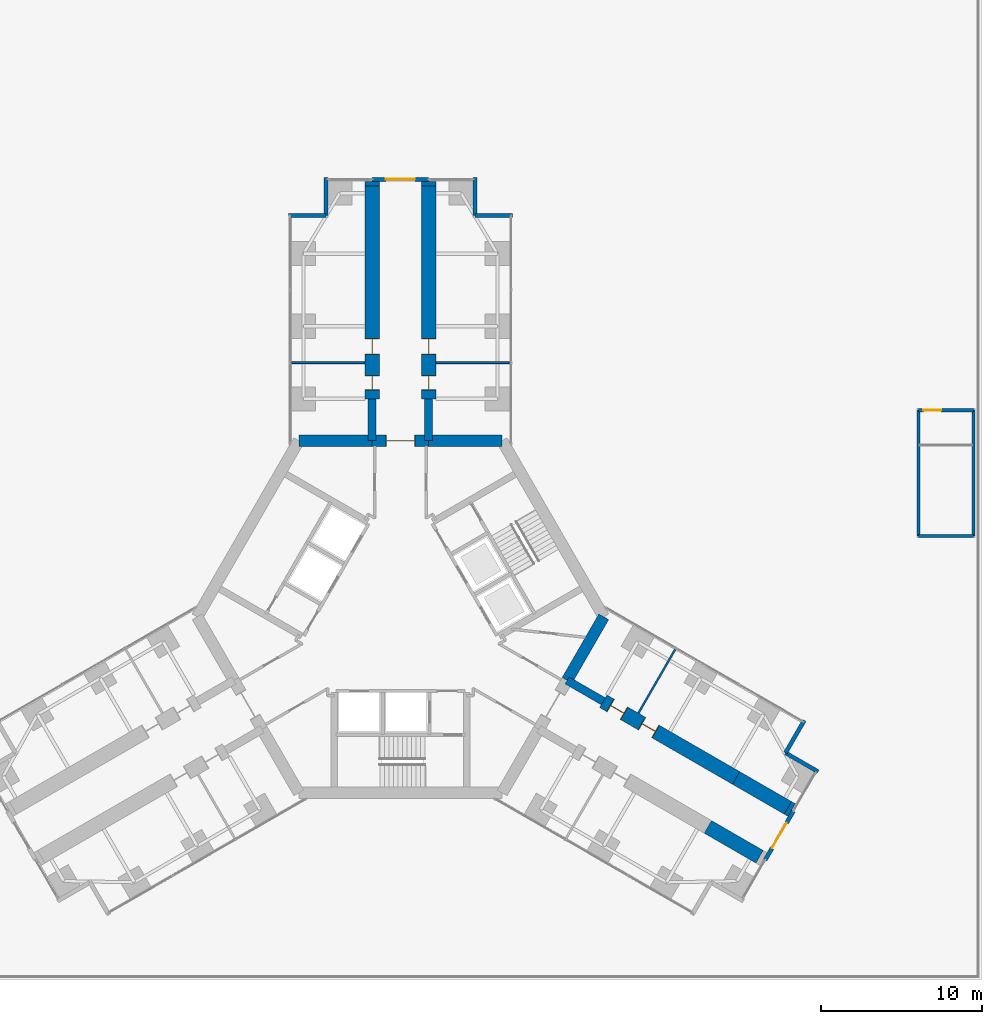
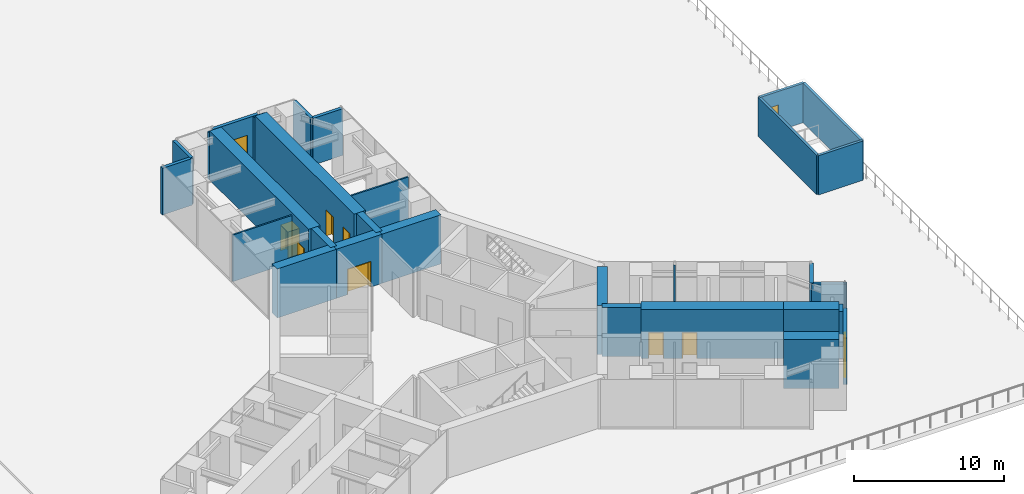
# One storey, part 18 of 23: 30 walls, 10 doors, 10 openings.
"""IFC4 building model written with IfcOpenShell, lengths in metres."""

from ifc_helpers import new_model, si_unit, direction, frame, frame_2d, origin, place, context, subcontext, project, spatial, rectangle, extrude, material, layer, layer_set, type_object, element, fill, save


model = new_model("IFC4")

# Units and contexts
model_context = context("Model", 3, precision=1e-05, world=origin(), true_north=direction((0.0, 1.0)))
body_context = subcontext(model_context, "Body", "Model", "MODEL_VIEW")
ifc_project = project(units=[si_unit("LENGTHUNIT", "METRE"), si_unit("AREAUNIT", "SQUARE_METRE"), si_unit("VOLUMEUNIT", "CUBIC_METRE"), si_unit("PLANEANGLEUNIT", "RADIAN"), si_unit("MASSUNIT", "GRAM", prefix="KILO")], contexts=[model_context])

# Site, building, storey
site_placement = place(None, origin())
site = spatial("IfcSite", under=ifc_project, at=site_placement, CompositionType="ELEMENT")
building_placement = place(site_placement, origin())
building = spatial("IfcBuilding", under=site, at=building_placement, Name="Upepo Twin Towers", CompositionType="ELEMENT")
storey_placement = place(building_placement, frame((0.0, 0.0, 20.5)))
storey = spatial("IfcBuildingStorey", under=building, at=storey_placement, Name="L04", CompositionType="ELEMENT", Elevation=20.5)

# Walls
ifc_material_1 = material(Name="Dense concrete blockwork", Category="masonry")
ifc_layer_1 = layer(ifc_material_1, 0.89990234375)
ifc_layer_set_1 = layer_set([ifc_layer_1], Name="Buttress closer 900, blockwork with fire-stopping to the curtain wall")
wall_type_1 = type_object("IfcWallType", Name="Buttress closer 900, blockwork with fire-stopping to the curtain wall", PredefinedType="PARTITIONING", material=ifc_layer_set_1)
for number, where, z_axis, x_axis, name in (
    (1, (56.75, 8.699951171875, 0.0), (0.0, 0.0, 1.0), (0.0, 1.0, 0.0), "T2 L04 wing A buttress closer L"),
    (2, (60.25, 8.699951171875, 0.0), (0.0, 0.0, 1.0), (0.0, 1.0, 0.0), "T2 L04 wing A buttress closer R"),
    (3, (82.497802734375, -29.83447265625, 0.0), (0.0, 0.0, 1.0), (0.86621513555, -0.499671230855, 0.0), "T2 L04 wing C buttress closer L"),
):
    element("IfcWall", number, at=place(storey_placement, frame(where, z_axis=z_axis, x_axis=x_axis)), inside=storey, type_object=wall_type_1, Name=name, PredefinedType="PARTITIONING", context=body_context, shape_type="SweptSolid", body=[
        extrude(rectangle(XDim=0.275146484375, YDim=0.89990234375, at=frame_2d((0.1376953125, 0.0))), origin(), (0.0, 0.0, 1.0), 3.800048828125),
    ])
ifc_material_2 = material(Name="Concrete C60/75", Category="concrete")
ifc_layer_2 = layer(ifc_material_2, 0.5)
ifc_layer_set_2 = layer_set([ifc_layer_2], Name="Concrete C60/75")
wall_type_2 = type_object("IfcWallType", Name="Buttress wall 500 RC", PredefinedType="SHEAR", material=ifc_layer_set_2)
for number, where, z_axis, x_axis, name in (
    (4, (56.75, -7.091552734375, 0.0), (0.0, 0.0, 1.0), (0.0, 1.0, 0.0), "T2 wing A buttress wall L"),
    (5, (60.25, -7.091552734375, 0.0), (0.0, 0.0, 1.0), (0.0, 1.0, 0.0), "T2 wing A buttress wall R"),
):
    element("IfcWall", number, at=place(storey_placement, frame(where, z_axis=z_axis, x_axis=x_axis)), inside=storey, type_object=wall_type_2, Name=name, PredefinedType="SHEAR", context=body_context, shape_type="SweptSolid", body=[
        extrude(rectangle(XDim=2.591552734375, YDim=0.5, at=frame_2d((1.2958984375, 0.0))), origin(), (0.0, 0.0, 1.0), 4.0),
    ])
wall_1_placement = place(storey_placement, frame((68.82177734375, -21.938720703125, 0.0), z_axis=(0.0, 0.0, 1.0), x_axis=(0.866072649678, -0.499918158782, 0.0)))
element("IfcWall", 6, at=wall_1_placement, inside=storey, type_object=wall_type_2, Name="T2 wing C buttress wall L", PredefinedType="SHEAR", context=body_context, shape_type="SweptSolid", body=[
    extrude(rectangle(XDim=2.591796875, YDim=0.5, at=frame_2d((1.2958984375, 0.0))), origin(), (0.0, 0.0, 1.0), 4.0),
])

# Wall, openings, doors
ifc_material_3 = material(Name="Concrete C60/75", Category="concrete")
ifc_layer_3 = layer(ifc_material_3, 0.89990234375)
ifc_layer_set_3 = layer_set([ifc_layer_3], Name="Concrete C60/75")
wall_type_3 = type_object("IfcWallType", Name="Buttress wall 900 RC", PredefinedType="SHEAR", material=ifc_layer_set_3)
wall_2_placement = place(storey_placement, frame((56.75, -4.5, 0.0), z_axis=(0.0, 0.0, 1.0), x_axis=(0.0, 1.0, 0.0)))
wall_2 = element("IfcWall", 7, at=wall_2_placement, inside=storey, type_object=wall_type_3, Name="T2 wing A buttress wall L part 2", PredefinedType="SHEAR", context=body_context, shape_type="SweptSolid", body=[
    extrude(rectangle(XDim=13.199951171875, YDim=0.89990234375, at=frame_2d((6.60009765625, 0.0))), origin(), (0.0, 0.0, 1.0), 4.0),
])
opening_1_placement = place(wall_2_placement, frame((0.550048828125, 0.0, 0.0)))
opening_1 = element("IfcOpeningElement", 8, at=opening_1_placement, cuts=wall_2, Name="Opening D11", PredefinedType="OPENING", context=body_context, shape_type="SweptSolid", body=[
    extrude(rectangle(XDim=0.89990234375, YDim=2.10009765625, at=frame_2d((0.449951171875, 1.050048828125))), frame((0.0, 0.4599609375, 0.0), z_axis=(0.0, -1.0, 0.0), x_axis=(1.0, 0.0, 0.0)), (0.0, 0.0, 1.0), 0.919921875),
])
opening_2_placement = place(wall_2_placement, frame((2.75, 0.0, 0.0)))
opening_2 = element("IfcOpeningElement", 9, at=opening_2_placement, cuts=wall_2, Name="Opening D15", PredefinedType="OPENING", context=body_context, shape_type="SweptSolid", body=[
    extrude(rectangle(XDim=1.0, YDim=2.10009765625, at=frame_2d((0.5, 1.050048828125))), frame((0.0, 0.4599609375, 0.0), z_axis=(0.0, -1.0, 0.0), x_axis=(1.0, 0.0, 0.0)), (0.0, 0.0, 1.0), 0.919921875),
])
ifc_material_4 = material(Name="Timber doorset", Category="wood")
door_type_1 = type_object("IfcDoorType", Name="Glazed door 1000 FD30", OperationType="SINGLE_SWING_LEFT", PredefinedType="DOOR", material=ifc_material_4)
door_1_placement = place(opening_2_placement, origin())
door_1 = element("IfcDoor", 10, at=door_1_placement, inside=storey, type_object=door_type_1, Name="T2 L04 student sky lounge door", OperationType="SINGLE_SWING_LEFT", OverallHeight=2.10009765625, OverallWidth=1.0, PredefinedType="DOOR", context=body_context, shape_type="SweptSolid", body=[
    extrude(rectangle(XDim=0.92, YDim=2.06009765625, at=frame_2d((0.5, 1.030029296875))), frame((0.0, 0.02490234375, 0.0), z_axis=(0.0, -1.0, 0.0), x_axis=(1.0, 0.0, 0.0)), (0.0, 0.0, 1.0), 0.050048828125),
    extrude(rectangle(XDim=0.04, YDim=2.10009765625, at=frame_2d((0.02001953125, 1.050048828125))), frame((0.0, 0.44970703125, 0.0), z_axis=(0.0, -1.0, 0.0), x_axis=(1.0, 0.0, 0.0)), (0.0, 0.0, 1.0), 0.8994140625),
    extrude(rectangle(XDim=0.04, YDim=2.10009765625, at=frame_2d((0.97998046875, 1.050048828125))), frame((0.0, 0.44970703125, 0.0), z_axis=(0.0, -1.0, 0.0), x_axis=(1.0, 0.0, 0.0)), (0.0, 0.0, 1.0), 0.8994140625),
    extrude(rectangle(XDim=0.92, YDim=0.04, at=frame_2d((0.5, 2.080078125))), frame((0.0, 0.44970703125, 0.0), z_axis=(0.0, -1.0, 0.0), x_axis=(1.0, 0.0, 0.0)), (0.0, 0.0, 1.0), 0.8994140625),
])
fill(opening_2, door_1)
ifc_material_5 = material(Name="Timber doorset", Category="wood")
door_type_2 = type_object("IfcDoorType", Name="Toilet door 900", OperationType="SINGLE_SWING_LEFT", PredefinedType="DOOR", material=ifc_material_5)
door_2_placement = place(opening_1_placement, origin())
door_2 = element("IfcDoor", 11, at=door_2_placement, inside=storey, type_object=door_type_2, Name="T2 L04 toilets door", OperationType="SINGLE_SWING_LEFT", OverallHeight=2.10009765625, OverallWidth=0.89990234375, PredefinedType="DOOR", context=body_context, shape_type="SweptSolid", body=[
    extrude(rectangle(XDim=0.81990234375, YDim=2.06009765625, at=frame_2d((0.449951171875, 1.030029296875))), frame((0.0, 0.02490234375, 0.0), z_axis=(0.0, -1.0, 0.0), x_axis=(1.0, 0.0, 0.0)), (0.0, 0.0, 1.0), 0.050048828125),
    extrude(rectangle(XDim=0.04, YDim=2.10009765625, at=frame_2d((0.02001953125, 1.050048828125))), frame((0.0, 0.44970703125, 0.0), z_axis=(0.0, -1.0, 0.0), x_axis=(1.0, 0.0, 0.0)), (0.0, 0.0, 1.0), 0.8994140625),
    extrude(rectangle(XDim=0.04, YDim=2.10009765625, at=frame_2d((0.8798828125, 1.050048828125))), frame((0.0, 0.44970703125, 0.0), z_axis=(0.0, -1.0, 0.0), x_axis=(1.0, 0.0, 0.0)), (0.0, 0.0, 1.0), 0.8994140625),
    extrude(rectangle(XDim=0.81990234375, YDim=0.04, at=frame_2d((0.449951171875, 2.080078125))), frame((0.0, 0.44970703125, 0.0), z_axis=(0.0, -1.0, 0.0), x_axis=(1.0, 0.0, 0.0)), (0.0, 0.0, 1.0), 0.8994140625),
])
fill(opening_1, door_2)

wall_3_placement = place(storey_placement, frame((60.25, -4.5, 0.0), z_axis=(0.0, 0.0, 1.0), x_axis=(0.0, 1.0, 0.0)))
wall_3 = element("IfcWall", 12, at=wall_3_placement, inside=storey, type_object=wall_type_3, Name="T2 wing A buttress wall R part 2", PredefinedType="SHEAR", context=body_context, shape_type="SweptSolid", body=[
    extrude(rectangle(XDim=13.199951171875, YDim=0.89990234375, at=frame_2d((6.60009765625, 0.0))), origin(), (0.0, 0.0, 1.0), 4.0),
])
opening_3_placement = place(wall_3_placement, frame((0.550048828125, 0.0, 0.0)))
opening_3 = element("IfcOpeningElement", 13, at=opening_3_placement, cuts=wall_3, Name="Opening D11", PredefinedType="OPENING", context=body_context, shape_type="SweptSolid", body=[
    extrude(rectangle(XDim=0.89990234375, YDim=2.10009765625, at=frame_2d((0.449951171875, 1.050048828125))), frame((0.0, 0.4599609375, 0.0), z_axis=(0.0, -1.0, 0.0), x_axis=(1.0, 0.0, 0.0)), (0.0, 0.0, 1.0), 0.919921875),
])
opening_4_placement = place(wall_3_placement, frame((2.75, 0.0, 0.0)))
opening_4 = element("IfcOpeningElement", 14, at=opening_4_placement, cuts=wall_3, Name="Opening D15", PredefinedType="OPENING", context=body_context, shape_type="SweptSolid", body=[
    extrude(rectangle(XDim=1.0, YDim=2.10009765625, at=frame_2d((0.5, 1.050048828125))), frame((0.0, 0.4599609375, 0.0), z_axis=(0.0, -1.0, 0.0), x_axis=(1.0, 0.0, 0.0)), (0.0, 0.0, 1.0), 0.919921875),
])
door_3_placement = place(opening_4_placement, origin())
door_3 = element("IfcDoor", 15, at=door_3_placement, inside=storey, type_object=door_type_1, Name="T2 L04 student sky lounge door", OperationType="SINGLE_SWING_LEFT", OverallHeight=2.10009765625, OverallWidth=1.0, PredefinedType="DOOR", context=body_context, shape_type="SweptSolid", body=[
    extrude(rectangle(XDim=0.92, YDim=2.06009765625, at=frame_2d((0.5, 1.030029296875))), frame((0.0, 0.02490234375, 0.0), z_axis=(0.0, -1.0, 0.0), x_axis=(1.0, 0.0, 0.0)), (0.0, 0.0, 1.0), 0.050048828125),
    extrude(rectangle(XDim=0.04, YDim=2.10009765625, at=frame_2d((0.02001953125, 1.050048828125))), frame((0.0, 0.44970703125, 0.0), z_axis=(0.0, -1.0, 0.0), x_axis=(1.0, 0.0, 0.0)), (0.0, 0.0, 1.0), 0.8994140625),
    extrude(rectangle(XDim=0.04, YDim=2.10009765625, at=frame_2d((0.97998046875, 1.050048828125))), frame((0.0, 0.44970703125, 0.0), z_axis=(0.0, -1.0, 0.0), x_axis=(1.0, 0.0, 0.0)), (0.0, 0.0, 1.0), 0.8994140625),
    extrude(rectangle(XDim=0.92, YDim=0.04, at=frame_2d((0.5, 2.080078125))), frame((0.0, 0.44970703125, 0.0), z_axis=(0.0, -1.0, 0.0), x_axis=(1.0, 0.0, 0.0)), (0.0, 0.0, 1.0), 0.8994140625),
])
fill(opening_4, door_3)
door_4_placement = place(opening_3_placement, origin())
door_4 = element("IfcDoor", 16, at=door_4_placement, inside=storey, type_object=door_type_2, Name="T2 L04 accessible wc door", OperationType="SINGLE_SWING_LEFT", OverallHeight=2.10009765625, OverallWidth=0.89990234375, PredefinedType="DOOR", context=body_context, shape_type="SweptSolid", body=[
    extrude(rectangle(XDim=0.81990234375, YDim=2.06009765625, at=frame_2d((0.449951171875, 1.030029296875))), frame((0.0, 0.02490234375, 0.0), z_axis=(0.0, -1.0, 0.0), x_axis=(1.0, 0.0, 0.0)), (0.0, 0.0, 1.0), 0.050048828125),
    extrude(rectangle(XDim=0.04, YDim=2.10009765625, at=frame_2d((0.02001953125, 1.050048828125))), frame((0.0, 0.44970703125, 0.0), z_axis=(0.0, -1.0, 0.0), x_axis=(1.0, 0.0, 0.0)), (0.0, 0.0, 1.0), 0.8994140625),
    extrude(rectangle(XDim=0.04, YDim=2.10009765625, at=frame_2d((0.8798828125, 1.050048828125))), frame((0.0, 0.44970703125, 0.0), z_axis=(0.0, -1.0, 0.0), x_axis=(1.0, 0.0, 0.0)), (0.0, 0.0, 1.0), 0.8994140625),
    extrude(rectangle(XDim=0.81990234375, YDim=0.04, at=frame_2d((0.449951171875, 2.080078125))), frame((0.0, 0.44970703125, 0.0), z_axis=(0.0, -1.0, 0.0), x_axis=(1.0, 0.0, 0.0)), (0.0, 0.0, 1.0), 0.8994140625),
])
fill(opening_3, door_4)

wall_4_placement = place(storey_placement, frame((71.06640625, -23.234375, 0.0), z_axis=(0.0, 0.0, 1.0), x_axis=(0.86602681393, -0.499997557548, 0.0)))
wall_4 = element("IfcWall", 17, at=wall_4_placement, inside=storey, type_object=wall_type_3, Name="T2 wing C buttress wall L part 2", PredefinedType="SHEAR", context=body_context, shape_type="SweptSolid", body=[
    extrude(rectangle(XDim=9.5, YDim=0.89990234375, at=frame_2d((4.75, 0.0))), origin(), (0.0, 0.0, 1.0), 4.0),
])
opening_5_placement = place(wall_4_placement, frame((0.5, 0.0, 0.0)))
opening_5 = element("IfcOpeningElement", 18, at=opening_5_placement, cuts=wall_4, Name="Opening D15", PredefinedType="OPENING", context=body_context, shape_type="SweptSolid", body=[
    extrude(rectangle(XDim=1.0, YDim=2.10009765625, at=frame_2d((0.5, 1.050048828125))), frame((0.0, 0.4599609375, 0.0), z_axis=(0.0, -1.0, 0.0), x_axis=(1.0, 0.0, 0.0)), (0.0, 0.0, 1.0), 0.919921875),
])
opening_6_placement = place(wall_4_placement, frame((2.75, 0.0, 0.0)))
opening_6 = element("IfcOpeningElement", 19, at=opening_6_placement, cuts=wall_4, Name="Opening D15", PredefinedType="OPENING", context=body_context, shape_type="SweptSolid", body=[
    extrude(rectangle(XDim=1.0, YDim=2.10009765625, at=frame_2d((0.5, 1.050048828125))), frame((0.0, 0.4599609375, 0.0), z_axis=(0.0, -1.0, 0.0), x_axis=(1.0, 0.0, 0.0)), (0.0, 0.0, 1.0), 0.919921875),
])
door_5_placement = place(opening_5_placement, origin())
door_5 = element("IfcDoor", 20, at=door_5_placement, inside=storey, type_object=door_type_1, Name="T2 L04 seminar room door", OperationType="SINGLE_SWING_LEFT", OverallHeight=2.10009765625, OverallWidth=1.0, PredefinedType="DOOR", context=body_context, shape_type="SweptSolid", body=[
    extrude(rectangle(XDim=0.92, YDim=2.06009765625, at=frame_2d((0.5, 1.030029296875))), frame((0.0, 0.02490234375, 0.0), z_axis=(0.0, -1.0, 0.0), x_axis=(1.0, 0.0, 0.0)), (0.0, 0.0, 1.0), 0.050048828125),
    extrude(rectangle(XDim=0.04, YDim=2.10009765625, at=frame_2d((0.02001953125, 1.050048828125))), frame((0.0, 0.44970703125, 0.0), z_axis=(0.0, -1.0, 0.0), x_axis=(1.0, 0.0, 0.0)), (0.0, 0.0, 1.0), 0.8994140625),
    extrude(rectangle(XDim=0.04, YDim=2.10009765625, at=frame_2d((0.97998046875, 1.050048828125))), frame((0.0, 0.44970703125, 0.0), z_axis=(0.0, -1.0, 0.0), x_axis=(1.0, 0.0, 0.0)), (0.0, 0.0, 1.0), 0.8994140625),
    extrude(rectangle(XDim=0.92, YDim=0.04, at=frame_2d((0.5, 2.080078125))), frame((0.0, 0.44970703125, 0.0), z_axis=(0.0, -1.0, 0.0), x_axis=(1.0, 0.0, 0.0)), (0.0, 0.0, 1.0), 0.8994140625),
])
fill(opening_5, door_5)
door_6_placement = place(opening_6_placement, origin())
door_6 = element("IfcDoor", 21, at=door_6_placement, inside=storey, type_object=door_type_1, Name="T2 L04 student sky lounge door", OperationType="SINGLE_SWING_LEFT", OverallHeight=2.10009765625, OverallWidth=1.0, PredefinedType="DOOR", context=body_context, shape_type="SweptSolid", body=[
    extrude(rectangle(XDim=0.92, YDim=2.06009765625, at=frame_2d((0.5, 1.030029296875))), frame((0.0, 0.02490234375, 0.0), z_axis=(0.0, -1.0, 0.0), x_axis=(1.0, 0.0, 0.0)), (0.0, 0.0, 1.0), 0.050048828125),
    extrude(rectangle(XDim=0.04, YDim=2.10009765625, at=frame_2d((0.02001953125, 1.050048828125))), frame((0.0, 0.44970703125, 0.0), z_axis=(0.0, -1.0, 0.0), x_axis=(1.0, 0.0, 0.0)), (0.0, 0.0, 1.0), 0.8994140625),
    extrude(rectangle(XDim=0.04, YDim=2.10009765625, at=frame_2d((0.97998046875, 1.050048828125))), frame((0.0, 0.44970703125, 0.0), z_axis=(0.0, -1.0, 0.0), x_axis=(1.0, 0.0, 0.0)), (0.0, 0.0, 1.0), 0.8994140625),
    extrude(rectangle(XDim=0.92, YDim=0.04, at=frame_2d((0.5, 2.080078125))), frame((0.0, 0.44970703125, 0.0), z_axis=(0.0, -1.0, 0.0), x_axis=(1.0, 0.0, 0.0)), (0.0, 0.0, 1.0), 0.8994140625),
])
fill(opening_6, door_6)

# Walls
wall_5_placement = place(storey_placement, frame((79.293701171875, -27.984375, 0.0), z_axis=(0.0, 0.0, 1.0), x_axis=(0.866000971088, -0.500042316284, 0.0)))
element("IfcWall", 22, at=wall_5_placement, inside=storey, type_object=wall_type_3, Name="T2 wing C buttress wall L part 3", PredefinedType="SHEAR", context=body_context, shape_type="SweptSolid", body=[
    extrude(rectangle(XDim=3.699951171875, YDim=0.89990234375, at=frame_2d((1.85009765625, 0.0))), origin(), (0.0, 0.0, 1.0), 4.0),
])
wall_6_placement = place(storey_placement, frame((77.543701171875, -31.015625, 0.0), z_axis=(0.0, 0.0, 1.0), x_axis=(0.866029545028, -0.499992827086, 0.0)))
element("IfcWall", 23, at=wall_6_placement, inside=storey, type_object=wall_type_3, Name="T2 wing C buttress wall R part 3", PredefinedType="SHEAR", context=body_context, shape_type="SweptSolid", body=[
    extrude(rectangle(XDim=3.69970703125, YDim=0.89990234375, at=frame_2d((1.849853515625, 0.0))), origin(), (0.0, 0.0, 1.0), 4.0),
])
ifc_material_6 = material(Name="Concrete C60/75", Category="concrete")
ifc_layer_4 = layer(ifc_material_6, 0.699951171875)
ifc_layer_set_4 = layer_set([ifc_layer_4], Name="Concrete C60/75")
wall_type_4 = type_object("IfcWallType", Name="Core wall 700 RC", PredefinedType="SHEAR", material=ifc_layer_set_4)
wall_7_placement = place(storey_placement, frame((64.7978515625, -7.091552734375, 0.0), z_axis=(0.0, 0.0, 1.0), x_axis=(-1.0, 0.0, 0.0)))
element("IfcWall", 24, at=wall_7_placement, inside=storey, type_object=wall_type_4, Name="T2 core wall 000 R", PredefinedType="SHEAR", context=body_context, shape_type="SweptSolid", body=[
    extrude(rectangle(XDim=4.5478515625, YDim=0.699951171875, at=frame_2d((2.27392578125, 0.0))), origin(), (0.0, 0.0, 1.0), 4.0),
])

# Wall, opening, door
wall_8_placement = place(storey_placement, frame((60.25, -7.091552734375, 0.0), z_axis=(0.0, 0.0, 1.0), x_axis=(-1.0, 0.0, 0.0)))
wall_8 = element("IfcWall", 25, at=wall_8_placement, inside=storey, type_object=wall_type_4, Name="T2 core wall 000", PredefinedType="SHEAR", context=body_context, shape_type="SweptSolid", body=[
    extrude(rectangle(XDim=3.5, YDim=0.699951171875, at=frame_2d((1.75, 0.0))), origin(), (0.0, 0.0, 1.0), 4.0),
])
opening_7_placement = place(wall_8_placement, frame((0.85009765625, 0.0, 0.0)))
opening_7 = element("IfcOpeningElement", 26, at=opening_7_placement, cuts=wall_8, Name="Opening D2", PredefinedType="OPENING", context=body_context, shape_type="SweptSolid", body=[
    extrude(rectangle(XDim=1.800048828125, YDim=2.10009765625, at=frame_2d((0.89990234375, 1.050048828125))), frame((0.0, 0.35986328125, 0.0), z_axis=(0.0, -1.0, 0.0), x_axis=(1.0, 0.0, 0.0)), (0.0, 0.0, 1.0), 0.719970703125),
])
ifc_material_7 = material(Name="Timber doorset", Category="wood")
door_type_3 = type_object("IfcDoorType", Name="Corridor double door 1800 FD60", OperationType="DOUBLE_DOOR_DOUBLE_SWING", PredefinedType="DOOR", material=ifc_material_7)
door_7_placement = place(opening_7_placement, origin())
door_7 = element("IfcDoor", 27, at=door_7_placement, inside=storey, type_object=door_type_3, Name="T2 L04 wing A corridor door", OperationType="DOUBLE_DOOR_DOUBLE_SWING", OverallHeight=2.10009765625, OverallWidth=1.800048828125, PredefinedType="DOOR", context=body_context, shape_type="SweptSolid", body=[
    extrude(rectangle(XDim=1.720048828125, YDim=2.06009765625, at=frame_2d((0.89990234375, 1.030029296875))), frame((0.0, 0.02490234375, 0.0), z_axis=(0.0, -1.0, 0.0), x_axis=(1.0, 0.0, 0.0)), (0.0, 0.0, 1.0), 0.050048828125),
    extrude(rectangle(XDim=0.04, YDim=2.10009765625, at=frame_2d((0.02001953125, 1.050048828125))), frame((0.0, 0.349609375, 0.0), z_axis=(0.0, -1.0, 0.0), x_axis=(1.0, 0.0, 0.0)), (0.0, 0.0, 1.0), 0.699462890625),
    extrude(rectangle(XDim=0.04, YDim=2.10009765625, at=frame_2d((1.780029296875, 1.050048828125))), frame((0.0, 0.349609375, 0.0), z_axis=(0.0, -1.0, 0.0), x_axis=(1.0, 0.0, 0.0)), (0.0, 0.0, 1.0), 0.699462890625),
    extrude(rectangle(XDim=1.720048828125, YDim=0.04, at=frame_2d((0.89990234375, 2.080078125))), frame((0.0, 0.349609375, 0.0), z_axis=(0.0, -1.0, 0.0), x_axis=(1.0, 0.0, 0.0)), (0.0, 0.0, 1.0), 0.699462890625),
])
fill(opening_7, door_7)

# Walls
wall_9_placement = place(storey_placement, frame((56.75, -7.091552734375, 0.0), z_axis=(0.0, 0.0, 1.0), x_axis=(-1.0, 0.0, 0.0)))
element("IfcWall", 28, at=wall_9_placement, inside=storey, type_object=wall_type_4, Name="T2 core wall 000 L", PredefinedType="SHEAR", context=body_context, shape_type="SweptSolid", body=[
    extrude(rectangle(XDim=4.5478515625, YDim=0.699951171875, at=frame_2d((2.27392578125, 0.0))), origin(), (0.0, 0.0, 1.0), 4.0),
])
wall_10_placement = place(storey_placement, frame((68.82177734375, -21.938720703125, 0.0), z_axis=(0.0, 0.0, 1.0), x_axis=(0.500024481964, 0.866011268655, 0.0)))
element("IfcWall", 29, at=wall_10_placement, inside=storey, type_object=wall_type_4, Name="T2 core wall 240 L", PredefinedType="SHEAR", context=body_context, shape_type="SweptSolid", body=[
    extrude(rectangle(XDim=4.548095703125, YDim=0.699951171875, at=frame_2d((2.27392578125, 0.0))), origin(), (0.0, 0.0, 1.0), 4.0),
])
ifc_material_8 = material(Name="Laminated glass in an aluminium frame", Category="aluminium")
ifc_layer_5 = layer(ifc_material_8, 0.1201171875)
ifc_layer_set_5 = layer_set([ifc_layer_5], Name="Glazed partition 120, aluminium framed")
wall_type_5 = type_object("IfcWallType", Name="Glazed partition 120, aluminium framed", PredefinedType="PARTITIONING", material=ifc_layer_set_5)
for number, where, z_axis, x_axis, name in (
    (30, (56.300048828125, -2.25, 0.0), (0.0, 0.0, 1.0), (-1.0, 0.0, 0.0), "T2 partition AL at 15.75"),
    (31, (60.699951171875, -2.25, 0.0), (0.0, 0.0, 1.0), (1.0, 0.0, 0.0), "T2 partition AR at 15.75"),
    (32, (73.239990234375, -23.9697265625, 0.0), (0.0, 0.0, 1.0), (0.499982560684, 0.866035472144, 0.0), "T2 partition CL at 15.75"),
):
    element("IfcWall", number, at=place(storey_placement, frame(where, z_axis=z_axis, x_axis=x_axis)), inside=storey, type_object=wall_type_5, Name=name, PredefinedType="PARTITIONING", context=body_context, shape_type="SweptSolid", body=[
        extrude(rectangle(XDim=4.550048828125, YDim=0.1201171875, at=frame_2d((2.27490234375, 0.0))), origin(), (0.0, 0.0, 1.0), 3.800048828125),
    ])
ifc_material_9 = material(Name="Blockwork with anodised aluminium cladding", Category="masonry")
ifc_layer_6 = layer(ifc_material_9, 0.25)
ifc_layer_set_6 = layer_set([ifc_layer_6], Name="Notch cladding wall 250, pale metal")
wall_type_6 = type_object("IfcWallType", Name="Notch cladding wall 250, pale metal", PredefinedType="STANDARD", material=ifc_layer_set_6)
for number, where, z_axis, x_axis, name in (
    (33, (51.550048828125, 6.875, 0.0), (0.0, 0.0, 1.0), (1.0, 0.0, 0.0), "T2 L04 wing A notch wall L1"),
    (34, (53.875, 6.875, 0.0), (0.0, 0.0, 1.0), (0.0, 1.0, 0.0), "T2 L04 wing A notch wall L2"),
    (35, (65.449951171875, 6.875, 0.0), (0.0, 0.0, 1.0), (-1.0, 0.0, 0.0), "T2 L04 wing A notch wall R1"),
    (36, (63.125, 6.875, 0.0), (0.0, 0.0, 1.0), (0.0, 1.0, 0.0), "T2 L04 wing A notch wall R2"),
):
    element("IfcWall", number, at=place(storey_placement, frame(where, z_axis=z_axis, x_axis=x_axis)), inside=storey, type_object=wall_type_6, Name=name, PredefinedType="STANDARD", context=body_context, shape_type="SweptSolid", body=[
        extrude(rectangle(XDim=2.324951171875, YDim=0.25, at=frame_2d((1.16259765625, 0.0))), origin(), (0.0, 0.0, 1.0), 3.800048828125),
    ])

# Wall, opening, door
wall_11_placement = place(storey_placement, frame((60.25, 9.10009765625, 0.0), z_axis=(0.0, 0.0, 1.0), x_axis=(-1.0, 0.0, 0.0)))
wall_11 = element("IfcWall", 37, at=wall_11_placement, inside=storey, type_object=wall_type_6, Name="T2 L04 wing A nose wall", PredefinedType="STANDARD", context=body_context, shape_type="SweptSolid", body=[
    extrude(rectangle(XDim=3.5, YDim=0.25, at=frame_2d((1.75, 0.0))), origin(), (0.0, 0.0, 1.0), 3.800048828125),
])
opening_8_placement = place(wall_11_placement, frame((0.85009765625, 0.0, 0.0)))
opening_8 = element("IfcOpeningElement", 38, at=opening_8_placement, cuts=wall_11, Name="Opening D5", PredefinedType="OPENING", context=body_context, shape_type="SweptSolid", body=[
    extrude(rectangle(XDim=1.800048828125, YDim=2.39990234375, at=frame_2d((0.89990234375, 1.199951171875))), frame((0.0, 0.135009765625, 0.0), z_axis=(0.0, -1.0, 0.0), x_axis=(1.0, 0.0, 0.0)), (0.0, 0.0, 1.0), 0.27001953125),
])
ifc_material_10 = material(Name="Aluminium glazed doorset", Category="aluminium")
door_type_4 = type_object("IfcDoorType", Name="Terrace door 1800 glazed", OperationType="DOUBLE_DOOR_DOUBLE_SWING", PredefinedType="DOOR", material=ifc_material_10)
door_8_placement = place(opening_8_placement, origin())
door_8 = element("IfcDoor", 39, at=door_8_placement, inside=storey, type_object=door_type_4, Name="T2 L04 wing A terrace door", OperationType="DOUBLE_DOOR_DOUBLE_SWING", OverallHeight=2.39990234375, OverallWidth=1.800048828125, PredefinedType="DOOR", context=body_context, shape_type="SweptSolid", body=[
    extrude(rectangle(XDim=1.800048828125, YDim=2.39990234375, at=frame_2d((0.89990234375, 1.199951171875))), frame((0.0, 0.02490234375, 0.0), z_axis=(0.0, -1.0, 0.0), x_axis=(1.0, 0.0, 0.0)), (0.0, 0.0, 1.0), 0.050048828125),
])
fill(opening_8, door_8)

# Walls
for number, where, z_axis, x_axis, name in (
    (40, (83.517333984375, -24.418701171875, 0.0), (0.0, 0.0, 1.0), (-0.499967891604, -0.866043940782, 0.0), "T2 L04 wing C notch wall L1"),
    (41, (82.35498046875, -26.43212890625, 0.0), (0.0, 0.0, 1.0), (0.865998469481, -0.500046648681, 0.0), "T2 L04 wing C notch wall L2"),
):
    element("IfcWall", number, at=place(storey_placement, frame(where, z_axis=z_axis, x_axis=x_axis)), inside=storey, type_object=wall_type_6, Name=name, PredefinedType="STANDARD", context=body_context, shape_type="SweptSolid", body=[
        extrude(rectangle(XDim=2.324951171875, YDim=0.25, at=frame_2d((1.16259765625, 0.0))), origin(), (0.0, 0.0, 1.0), 3.800048828125),
    ])

# Wall, opening, door
wall_12_placement = place(storey_placement, frame((81.09423828125, -33.0654296875, 0.0), z_axis=(0.0, 0.0, 1.0), x_axis=(0.500010275428, 0.866019471182, 0.0)))
wall_12 = element("IfcWall", 42, at=wall_12_placement, inside=storey, type_object=wall_type_6, Name="T2 L04 wing C nose wall", PredefinedType="STANDARD", context=body_context, shape_type="SweptSolid", body=[
    extrude(rectangle(XDim=3.5, YDim=0.25, at=frame_2d((1.75, 0.0))), origin(), (0.0, 0.0, 1.0), 3.800048828125),
])
opening_9_placement = place(wall_12_placement, frame((0.85009765625, 0.0, 0.0)))
opening_9 = element("IfcOpeningElement", 43, at=opening_9_placement, cuts=wall_12, Name="Opening D5", PredefinedType="OPENING", context=body_context, shape_type="SweptSolid", body=[
    extrude(rectangle(XDim=1.800048828125, YDim=2.39990234375, at=frame_2d((0.89990234375, 1.199951171875))), frame((0.0, 0.135009765625, 0.0), z_axis=(0.0, -1.0, 0.0), x_axis=(1.0, 0.0, 0.0)), (0.0, 0.0, 1.0), 0.27001953125),
])
door_9_placement = place(opening_9_placement, origin())
door_9 = element("IfcDoor", 44, at=door_9_placement, inside=storey, type_object=door_type_4, Name="T2 L04 wing C terrace door", OperationType="DOUBLE_DOOR_DOUBLE_SWING", OverallHeight=2.39990234375, OverallWidth=1.800048828125, PredefinedType="DOOR", context=body_context, shape_type="SweptSolid", body=[
    extrude(rectangle(XDim=1.800048828125, YDim=2.39990234375, at=frame_2d((0.89990234375, 1.199951171875))), frame((0.0, 0.02490234375, 0.0), z_axis=(0.0, -1.0, 0.0), x_axis=(1.0, 0.0, 0.0)), (0.0, 0.0, 1.0), 0.050048828125),
])
fill(opening_9, door_9)

# Walls
ifc_material_11 = material(Name="Concrete C40/50", Category="concrete")
ifc_layer_7 = layer(ifc_material_11, 0.199951171875)
ifc_layer_set_7 = layer_set([ifc_layer_7], Name="Concrete C40/50")
wall_type_7 = type_object("IfcWallType", Name="Podium stair enclosure 200 RC", PredefinedType="SHEAR", material=ifc_layer_set_7)
wall_13_placement = place(storey_placement, frame((90.60009765625, -13.0, 0.0), z_axis=(0.0, 0.0, 1.0), x_axis=(1.0, 0.0, 0.0)))
element("IfcWall", 45, at=wall_13_placement, inside=storey, type_object=wall_type_7, Name="PS2 head-house wall 1", PredefinedType="SHEAR", context=body_context, shape_type="SweptSolid", body=[
    extrude(rectangle(XDim=3.39990234375, YDim=0.199951171875, at=frame_2d((1.699951171875, 0.0))), origin(), (0.0, 0.0, 1.0), 3.199951171875),
])
wall_14_placement = place(storey_placement, frame((94.0, -13.0, 0.0), z_axis=(0.0, 0.0, 1.0), x_axis=(0.0, 1.0, 0.0)))
element("IfcWall", 46, at=wall_14_placement, inside=storey, type_object=wall_type_7, Name="PS2 head-house wall 2", PredefinedType="SHEAR", context=body_context, shape_type="SweptSolid", body=[
    extrude(rectangle(XDim=7.800048828125, YDim=0.199951171875, at=frame_2d((3.89990234375, 0.0))), origin(), (0.0, 0.0, 1.0), 3.199951171875),
])

# Wall, opening, door
wall_15_placement = place(storey_placement, frame((94.0, -5.199951171875, 0.0), z_axis=(0.0, 0.0, 1.0), x_axis=(-1.0, 0.0, 0.0)))
wall_15 = element("IfcWall", 47, at=wall_15_placement, inside=storey, type_object=wall_type_7, Name="PS2 head-house wall 3", PredefinedType="SHEAR", context=body_context, shape_type="SweptSolid", body=[
    extrude(rectangle(XDim=3.39990234375, YDim=0.199951171875, at=frame_2d((1.699951171875, 0.0))), origin(), (0.0, 0.0, 1.0), 3.199951171875),
])
opening_10_placement = place(wall_15_placement, frame((2.0, 0.0, 0.0)))
opening_10 = element("IfcOpeningElement", 48, at=opening_10_placement, cuts=wall_15, Name="Opening D3", PredefinedType="OPENING", context=body_context, shape_type="SweptSolid", body=[
    extrude(rectangle(XDim=1.10009765625, YDim=2.10009765625, at=frame_2d((0.550048828125, 1.050048828125))), frame((0.0, 0.10986328125, 0.0), z_axis=(0.0, -1.0, 0.0), x_axis=(1.0, 0.0, 0.0)), (0.0, 0.0, 1.0), 0.219970703125),
])
ifc_material_12 = material(Name="Timber doorset", Category="wood")
door_type_5 = type_object("IfcDoorType", Name="Stair door 1100 FD60", OperationType="SINGLE_SWING_LEFT", PredefinedType="DOOR", material=ifc_material_12)
door_10_placement = place(opening_10_placement, origin())
door_10 = element("IfcDoor", 49, at=door_10_placement, inside=storey, type_object=door_type_5, Name="PS2 head-house door", OperationType="SINGLE_SWING_RIGHT", OverallHeight=2.10009765625, OverallWidth=1.10009765625, PredefinedType="DOOR", context=body_context, shape_type="SweptSolid", body=[
    extrude(rectangle(XDim=1.10009765625, YDim=2.10009765625, at=frame_2d((0.550048828125, 1.050048828125))), frame((0.0, 0.02490234375, 0.0), z_axis=(0.0, -1.0, 0.0), x_axis=(1.0, 0.0, 0.0)), (0.0, 0.0, 1.0), 0.050048828125),
])
fill(opening_10, door_10)

# Wall
wall_16_placement = place(storey_placement, frame((90.60009765625, -5.199951171875, 0.0), z_axis=(0.0, 0.0, 1.0), x_axis=(0.0, -1.0, 0.0)))
element("IfcWall", 50, at=wall_16_placement, inside=storey, type_object=wall_type_7, Name="PS2 head-house wall 4", PredefinedType="SHEAR", context=body_context, shape_type="SweptSolid", body=[
    extrude(rectangle(XDim=7.800048828125, YDim=0.199951171875, at=frame_2d((3.89990234375, 0.0))), origin(), (0.0, 0.0, 1.0), 3.199951171875),
])

save(model, "model.ifc")
